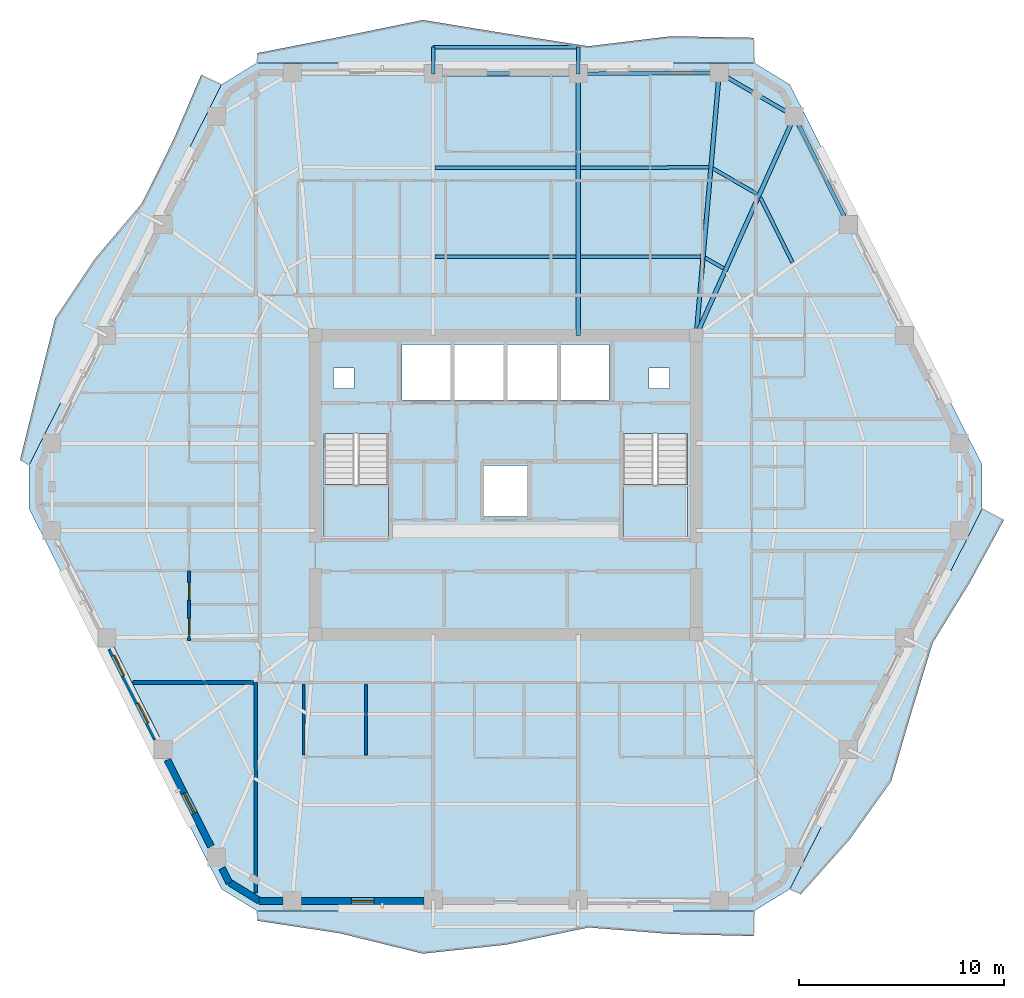
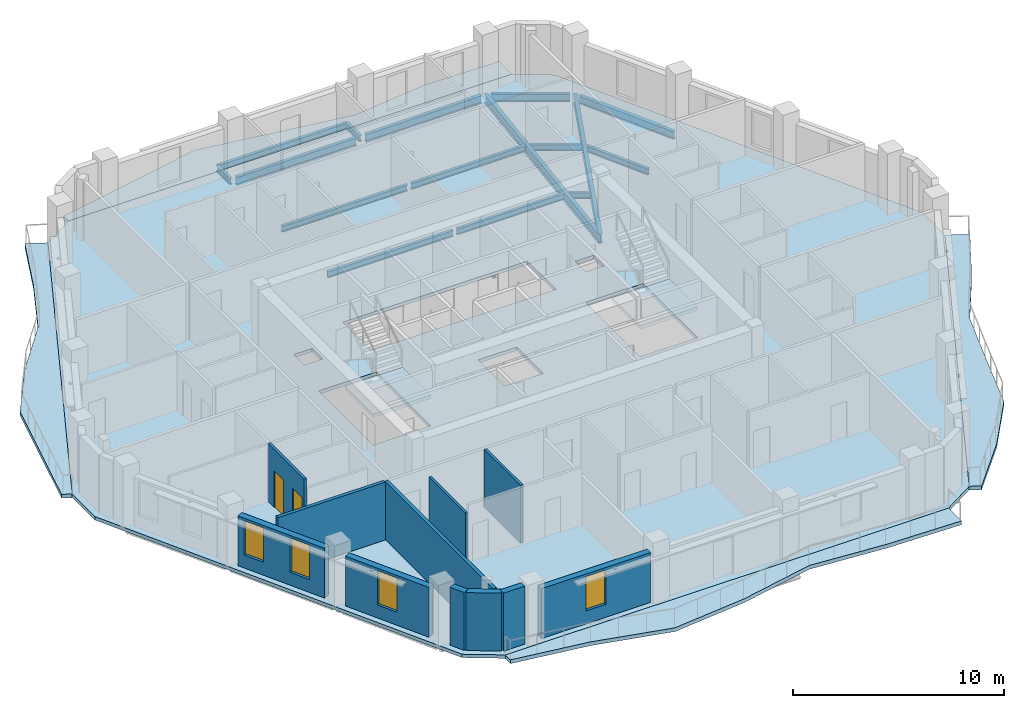
# One storey, part 3 of 12: 17 beams, 11 walls, 7 slabs, 4 windows, 2 doors, 6 openings, 2 elements without a shape of their own.
"""IFC4 building model written with IfcOpenShell, lengths in metres."""

from ifc_helpers import new_model, si_unit, direction, frame, frame_2d, origin, origin_2d, place, context, subcontext, project, spatial, polyline, rectangle, i_section, outline, extrude, material, layer, layer_set, material_profile, profile_set, type_object, element, fill, aggregate, save


model = new_model("IFC4")

# Units and contexts
model_context = context("Model", 3, precision=1e-05, world=origin(), true_north=direction((0.0, 1.0)))
body_context = subcontext(model_context, "Body", "Model", "MODEL_VIEW")
ifc_project = project(units=[si_unit("LENGTHUNIT", "METRE"), si_unit("AREAUNIT", "SQUARE_METRE"), si_unit("VOLUMEUNIT", "CUBIC_METRE"), si_unit("PLANEANGLEUNIT", "RADIAN"), si_unit("MASSUNIT", "GRAM", prefix="KILO")], contexts=[model_context])

# Site, building, storey
site_placement = place(None, origin())
site = spatial("IfcSite", under=ifc_project, at=site_placement, CompositionType="ELEMENT")
building_placement = place(site_placement, origin())
building = spatial("IfcBuilding", under=site, at=building_placement, Name="Cinnabar Lancet Tower", CompositionType="ELEMENT")
storey_placement = place(building_placement, frame((0.0, 0.0, 186.10009765625)))
storey = spatial("IfcBuildingStorey", under=building, at=storey_placement, Name="L49", CompositionType="ELEMENT", Elevation=186.10009765625)

# Beams
ifc_material_1 = material(Name="Structural steel S355", Category="steel")
ifc_material_profile_1 = material_profile(ifc_material_1, i_section(OverallWidth=0.17138671875, OverallDepth=0.35498046875, WebThickness=0.00732421875, FlangeThickness=0.011474609375, FilletRadius=0.01025390625, at=origin_2d()), Name="UKB 356x171x51")
ifc_profile_set_1 = profile_set([ifc_material_profile_1], Name="Structural steel S355")
beam_type_1 = type_object("IfcBeamType", Name="STR-BM-JST-356", PredefinedType="JOIST", material=ifc_profile_set_1)
beam_1_placement = place(storey_placement, frame((46.40087890625, 36.75, -0.378173828125), z_axis=(-0.444780091128, 0.895639810714, 0.0), x_axis=(-0.895639810714, -0.444780091128, 0.0)))
element("IfcBeam", 1, at=beam_1_placement, inside=storey, type_object=beam_type_1, Name="L49 Secondary Floor Joist 29", PredefinedType="JOIST", context=body_context, shape_type="SweptSolid", body=[
    extrude(i_section(OverallWidth=0.17138671875, OverallDepth=0.35498046875, WebThickness=0.00732421875, FlangeThickness=0.011474609375, FilletRadius=0.01025390625, at=origin_2d()), origin(), (0.0, 0.0, 1.0), 3.533935546875),
])
beam_2_placement = place(storey_placement, frame((44.677978515625, 40.089111328125, -0.378173828125), z_axis=(-0.865267839663, 0.501309849937, 0.0), x_axis=(-0.501309849937, -0.865267839663, 0.0)))
element("IfcBeam", 2, at=beam_2_placement, inside=storey, type_object=beam_type_1, Name="L49 Secondary Floor Joist 31", PredefinedType="JOIST", context=body_context, shape_type="SweptSolid", body=[
    extrude(i_section(OverallWidth=0.17138671875, OverallDepth=0.35498046875, WebThickness=0.00732421875, FlangeThickness=0.011474609375, FilletRadius=0.01025390625, at=origin_2d()), origin(), (0.0, 0.0, 1.0), 2.497314453125),
])
beam_3_placement = place(storey_placement, frame((43.047119140625, 36.45703125, -0.378173828125), z_axis=(-0.8651881055, 0.501447446998, 0.0), x_axis=(-0.501447446998, -0.8651881055, 0.0)))
element("IfcBeam", 3, at=beam_3_placement, inside=storey, type_object=beam_type_1, Name="L49 Secondary Floor Joist 32", PredefinedType="JOIST", context=body_context, shape_type="SweptSolid", body=[
    extrude(i_section(OverallWidth=0.17138671875, OverallDepth=0.35498046875, WebThickness=0.00732421875, FlangeThickness=0.011474609375, FilletRadius=0.01025390625, at=origin_2d()), origin(), (0.0, 0.0, 1.0), 1.05322265625),
])
beam_4_placement = place(storey_placement, frame((42.31201171875, 41.39794921875, -0.378173828125), z_axis=(-0.999986965561, -0.005105752523, 0.0), x_axis=(0.005105752523, -0.999986965561, 0.0)))
element("IfcBeam", 4, at=beam_4_placement, inside=storey, type_object=beam_type_1, Name="L49 Secondary Floor Joist 33", PredefinedType="JOIST", context=body_context, shape_type="SweptSolid", body=[
    extrude(i_section(OverallWidth=0.17138671875, OverallDepth=0.35498046875, WebThickness=0.00732421875, FlangeThickness=0.011474609375, FilletRadius=0.01025390625, at=origin_2d()), origin(), (0.0, 0.0, 1.0), 6.263916015625),
])
beam_5_placement = place(storey_placement, frame((41.930908203125, 37.04296875, -0.378173828125), z_axis=(-0.999996795667, -0.002531532393, 0.0), x_axis=(0.002531532393, -0.999996795667, 0.0)))
element("IfcBeam", 5, at=beam_5_placement, inside=storey, type_object=beam_type_1, Name="L49 Secondary Floor Joist 34", PredefinedType="JOIST", context=body_context, shape_type="SweptSolid", body=[
    extrude(i_section(OverallWidth=0.17138671875, OverallDepth=0.35498046875, WebThickness=0.00732421875, FlangeThickness=0.011474609375, FilletRadius=0.01025390625, at=origin_2d()), origin(), (0.0, 0.0, 1.0), 5.8828125),
])
for number, where, z_axis, x_axis, name in (
    (6, (35.837890625, 41.364990234375, -0.378173828125), (-1.0, 0.0, 0.0), (0.0, -1.0, 0.0), "L49 Secondary Floor Joist 35"),
    (7, (35.837890625, 37.027099609375, -0.378173828125), (-1.0, 0.0, 0.0), (0.0, -1.0, 0.0), "L49 Secondary Floor Joist 36"),
):
    element("IfcBeam", number, at=place(storey_placement, frame(where, z_axis=z_axis, x_axis=x_axis)), inside=storey, type_object=beam_type_1, Name=name, PredefinedType="JOIST", context=body_context, shape_type="SweptSolid", body=[
        extrude(i_section(OverallWidth=0.17138671875, OverallDepth=0.35498046875, WebThickness=0.00732421875, FlangeThickness=0.011474609375, FilletRadius=0.01025390625, at=origin_2d()), origin(), (0.0, 0.0, 1.0), 6.8759765625),
    ])
ifc_material_2 = material(Name="Structural steel S355", Category="steel")
ifc_material_profile_2 = material_profile(ifc_material_2, i_section(OverallWidth=0.1904296875, OverallDepth=0.45703125, WebThickness=0.009033203125, FlangeThickness=0.014404296875, FilletRadius=0.01025390625, at=origin_2d()), Name="UKB 457x191x74")
ifc_profile_set_2 = profile_set([ifc_material_profile_2], Name="Structural steel S355")
beam_type_2 = type_object("IfcBeamType", Name="STR-BM-SPN-457", PredefinedType="SPANDREL", material=ifc_profile_set_2)
beam_6_placement = place(storey_placement, frame((49.008056640625, 38.822998046875, -0.427978515625), z_axis=(-0.444932986899, 0.895563865489, 0.0), x_axis=(-0.895563865489, -0.444932986899, 0.0)))
element("IfcBeam", 8, at=beam_6_placement, inside=storey, type_object=beam_type_2, Name="L49 Perimeter Spandrel 11", PredefinedType="SPANDREL", context=body_context, shape_type="SweptSolid", body=[
    extrude(i_section(OverallWidth=0.1904296875, OverallDepth=0.45703125, WebThickness=0.009033203125, FlangeThickness=0.014404296875, FilletRadius=0.01025390625, at=origin_2d()), origin(), (0.0, 0.0, 1.0), 5.398681640625),
])
beam_7_placement = place(storey_placement, frame((46.279052734375, 44.007080078125, -0.427978515625), z_axis=(-0.865195717586, 0.501434313016, 0.0), x_axis=(-0.501434313016, -0.865195717586, 0.0)))
element("IfcBeam", 9, at=beam_7_placement, inside=storey, type_object=beam_type_2, Name="L49 Perimeter Spandrel 12", PredefinedType="SPANDREL", context=body_context, shape_type="SweptSolid", body=[
    extrude(i_section(OverallWidth=0.1904296875, OverallDepth=0.45703125, WebThickness=0.009033203125, FlangeThickness=0.014404296875, FilletRadius=0.01025390625, at=origin_2d()), origin(), (0.0, 0.0, 1.0), 3.7470703125),
])
beam_8_placement = place(storey_placement, frame((42.571044921875, 46.009033203125, -0.427978515625), z_axis=(-0.999970401924, -0.007693846685, 0.0), x_axis=(0.007693846685, -0.999970401924, 0.0)))
element("IfcBeam", 10, at=beam_8_placement, inside=storey, type_object=beam_type_2, Name="L49 Perimeter Spandrel 13", PredefinedType="SPANDREL", context=body_context, shape_type="SweptSolid", body=[
    extrude(i_section(OverallWidth=0.1904296875, OverallDepth=0.45703125, WebThickness=0.009033203125, FlangeThickness=0.014404296875, FilletRadius=0.01025390625, at=origin_2d()), origin(), (0.0, 0.0, 1.0), 6.378173828125),
])
beam_9_placement = place(storey_placement, frame((35.693115234375, 45.9580078125, -0.427978515625), z_axis=(-1.0, 0.0, 0.0), x_axis=(0.0, -1.0, 0.0)))
element("IfcBeam", 11, at=beam_9_placement, inside=storey, type_object=beam_type_2, Name="L49 Perimeter Spandrel 14", PredefinedType="SPANDREL", context=body_context, shape_type="SweptSolid", body=[
    extrude(i_section(OverallWidth=0.1904296875, OverallDepth=0.45703125, WebThickness=0.009033203125, FlangeThickness=0.014404296875, FilletRadius=0.01025390625, at=origin_2d()), origin(), (0.0, 0.0, 1.0), 6.586181640625),
])
ifc_material_3 = material(Name="Structural steel S355", Category="steel")
ifc_material_profile_3 = material_profile(ifc_material_3, i_section(OverallWidth=0.209228515625, OverallDepth=0.533203125, WebThickness=0.010009765625, FlangeThickness=0.015625, FilletRadius=0.0126953125, at=origin_2d()), Name="UKB 533x210x92")
ifc_profile_set_3 = profile_set([ifc_material_profile_3], Name="Structural steel S355")
beam_type_3 = type_object("IfcBeamType", Name="STR-BM-UKB533-92", PredefinedType="BEAM", material=ifc_profile_set_3)
beam_10_placement = place(storey_placement, frame((46.4951171875, 43.882080078125, -0.467041015625), z_axis=(-0.409527011626, -0.912297992297, 0.0), x_axis=(0.912297992297, -0.409527011626, 0.0)))
element("IfcBeam", 12, at=beam_10_placement, inside=storey, type_object=beam_type_3, Name="L49 Primary Floor Girder 12", PredefinedType="BEAM", context=body_context, shape_type="SweptSolid", body=[
    extrude(i_section(OverallWidth=0.209228515625, OverallDepth=0.533203125, WebThickness=0.010009765625, FlangeThickness=0.015625, FilletRadius=0.0126953125, at=origin_2d()), origin(), (0.0, 0.0, 1.0), 11.708984375),
])
beam_11_placement = place(storey_placement, frame((42.821044921875, 46.010986328125, -0.467041015625), z_axis=(-0.087176841412, -0.996192851973, 0.0), x_axis=(0.996192851973, -0.087176841412, 0.0)))
element("IfcBeam", 13, at=beam_11_placement, inside=storey, type_object=beam_type_3, Name="L49 Primary Floor Girder 13", PredefinedType="BEAM", context=body_context, shape_type="SweptSolid", body=[
    extrude(i_section(OverallWidth=0.209228515625, OverallDepth=0.533203125, WebThickness=0.010009765625, FlangeThickness=0.015625, FilletRadius=0.0126953125, at=origin_2d()), origin(), (0.0, 0.0, 1.0), 12.860107421875),
])
beam_12_placement = place(storey_placement, frame((35.943115234375, 45.9580078125, -0.467041015625), z_axis=(0.0, -1.0, 0.0), x_axis=(1.0, 0.0, 0.0)))
element("IfcBeam", 14, at=beam_12_placement, inside=storey, type_object=beam_type_3, Name="L49 Primary Floor Girder 14", PredefinedType="BEAM", context=body_context, shape_type="SweptSolid", body=[
    extrude(i_section(OverallWidth=0.209228515625, OverallDepth=0.533203125, WebThickness=0.010009765625, FlangeThickness=0.015625, FilletRadius=0.0126953125, at=origin_2d()), origin(), (0.0, 0.0, 1.0), 12.758056640625),
])
ifc_material_4 = material(Name="Structural steel S355", Category="steel")
ifc_material_profile_4 = material_profile(ifc_material_4, i_section(OverallWidth=0.17138671875, OverallDepth=0.35498046875, WebThickness=0.00732421875, FlangeThickness=0.011474609375, FilletRadius=0.01025390625, at=origin_2d()), Name="UKB 356x171x51")
ifc_profile_set_4 = profile_set([ifc_material_profile_4], Name="Structural steel S355")
beam_type_4 = type_object("IfcBeamType", Name="STR-BM-WAV-OUT", PredefinedType="BEAM", material=ifc_profile_set_4)
for number, where, z_axis, x_axis, name in (
    (15, (35.943115234375, 45.9580078125, -0.398193359375), (0.0, 1.0, 0.0), (-1.0, 0.0, 0.0), "L49 Face 4 Balcony Outlooker A"),
    (16, (28.85693359375, 45.9580078125, -0.398193359375), (0.0, 1.0, 0.0), (-1.0, 0.0, 0.0), "L49 Face 4 Balcony Outlooker B"),
):
    element("IfcBeam", number, at=place(storey_placement, frame(where, z_axis=z_axis, x_axis=x_axis)), inside=storey, type_object=beam_type_4, Name=name, PredefinedType="BEAM", context=body_context, shape_type="SweptSolid", body=[
        extrude(i_section(OverallWidth=0.17138671875, OverallDepth=0.35498046875, WebThickness=0.00732421875, FlangeThickness=0.011474609375, FilletRadius=0.01025390625, at=origin_2d()), origin(), (0.0, 0.0, 1.0), 1.300048828125),
    ])
ifc_material_5 = material(Name="Structural steel S355", Category="steel")
ifc_material_profile_5 = material_profile(ifc_material_5, i_section(OverallWidth=0.17138671875, OverallDepth=0.35498046875, WebThickness=0.00732421875, FlangeThickness=0.011474609375, FilletRadius=0.01025390625, at=origin_2d()), Name="UKB 356x171x51")
ifc_profile_set_5 = profile_set([ifc_material_profile_5], Name="Structural steel S355")
beam_type_5 = type_object("IfcBeamType", Name="STR-BM-WAV-TRIM", PredefinedType="SPANDREL", material=ifc_profile_set_5)
beam_13_placement = place(storey_placement, frame((35.943115234375, 47.258056640625, -0.398193359375), z_axis=(-1.0, 0.0, 0.0), x_axis=(0.0, -1.0, 0.0)))
element("IfcBeam", 17, at=beam_13_placement, inside=storey, type_object=beam_type_5, Name="L49 Face 4 Balcony Edge Trimmer", PredefinedType="SPANDREL", context=body_context, shape_type="SweptSolid", body=[
    extrude(i_section(OverallWidth=0.17138671875, OverallDepth=0.35498046875, WebThickness=0.00732421875, FlangeThickness=0.011474609375, FilletRadius=0.01025390625, at=origin_2d()), origin(), (0.0, 0.0, 1.0), 7.086181640625),
])

# Stair, slab
ifc_material_6 = material(Name="Concrete C40/50", Category="concrete")
stair_type = type_object("IfcStairType", Name="ST-CORE", PredefinedType="HALF_TURN_STAIR", material=ifc_material_6)
stair_1_placement = place(storey_placement, origin())
stair_1 = element("IfcStair", 18, at=stair_1_placement, inside=storey, type_object=stair_type, Name="L49 ST-1", PredefinedType="HALF_TURN_STAIR")
ifc_material_7 = material(Name="Concrete C40/50", Category="concrete")
ifc_layer_1 = layer(ifc_material_7, 0.199951171875)
ifc_layer_set_1 = layer_set([ifc_layer_1], Name="Concrete C40/50")
slab_type_1 = type_object("IfcSlabType", Name="LANDING-CORE", PredefinedType="LANDING", material=ifc_layer_set_1)
slab_1_placement = place(storey_placement, frame((0.0, 0.0, 1.574951171875)))
slab_1 = element("IfcSlab", 19, at=slab_1_placement, type_object=slab_type_1, Name="ST-1 landing 1", PredefinedType="LANDING", context=body_context, shape_type="SweptSolid", body=[
    extrude(outline(polyline([(23.52490234375, 25.925048828125), (23.52490234375, 23.25), (26.675048828125, 23.25), (26.675048828125, 25.925048828125), (23.52490234375, 25.925048828125)])), origin(), (0.0, 0.0, 1.0), 0.199951171875),
])
aggregate(stair_1, [slab_1])

stair_2_placement = place(storey_placement, origin())
stair_2 = element("IfcStair", 20, at=stair_2_placement, inside=storey, type_object=stair_type, Name="L49 ST-2", PredefinedType="HALF_TURN_STAIR")
slab_2_placement = place(storey_placement, frame((0.0, 0.0, 1.574951171875)))
slab_2 = element("IfcSlab", 21, at=slab_2_placement, type_object=slab_type_1, Name="ST-2 landing 1", PredefinedType="LANDING", context=body_context, shape_type="SweptSolid", body=[
    extrude(outline(polyline([(38.125, 25.925048828125), (38.125, 23.25), (41.27490234375, 23.25), (41.27490234375, 25.925048828125), (38.125, 25.925048828125)])), origin(), (0.0, 0.0, 1.0), 0.199951171875),
])
aggregate(stair_2, [slab_2])

# Slabs
ifc_material_8 = material(Name="Concrete C40/50", Category="concrete")
ifc_layer_2 = layer(ifc_material_8, 0.199951171875)
ifc_layer_set_2 = layer_set([ifc_layer_2], Name="Concrete C40/50")
slab_type_2 = type_object("IfcSlabType", Name="STR-SLB-FLR-200", PredefinedType="FLOOR", material=ifc_layer_set_2)
slab_3_placement = place(storey_placement, frame((0.0, 0.0, -0.2001953125)))
element("IfcSlab", 22, at=slab_3_placement, inside=storey, type_object=slab_type_2, Name="L49 Structural Floor Slab", PredefinedType="FLOOR", context=body_context, shape_type="SweptSolid", body=[
    extrude(outline(polyline([(18.530029296875, 6.1708984375), (20.27197265625, 5.10009765625), (44.528076171875, 5.10009765625), (46.27001953125, 6.1708984375), (55.657958984375, 24.72900390625), (55.657958984375, 26.87109375), (46.27001953125, 45.428955078125), (44.528076171875, 46.5), (20.27197265625, 46.5), (18.530029296875, 45.428955078125), (9.14208984375, 26.87109375), (9.14208984375, 24.72900390625), (18.530029296875, 6.1708984375)]), holes=[polyline([(23.52490234375, 23.25), (26.675048828125, 23.25), (26.675048828125, 28.3994140625), (23.52490234375, 28.3994140625), (23.52490234375, 23.25)]), polyline([(38.125, 23.25), (41.27490234375, 23.25), (41.27490234375, 28.3994140625), (38.125, 28.3994140625), (38.125, 23.25)]), polyline([(27.35009765625, 30.050048828125), (37.449951171875, 30.050048828125), (37.449951171875, 32.75), (27.35009765625, 32.75), (27.35009765625, 30.050048828125)]), polyline([(31.35009765625, 24.35009765625), (33.449951171875, 24.35009765625), (33.449951171875, 26.85009765625), (31.35009765625, 26.85009765625), (31.35009765625, 24.35009765625)]), polyline([(24.0, 30.60009765625), (25.0, 30.60009765625), (25.0, 31.60009765625), (24.0, 31.60009765625), (24.0, 30.60009765625)]), polyline([(39.39990234375, 30.60009765625), (40.39990234375, 30.60009765625), (40.39990234375, 31.60009765625), (39.39990234375, 31.60009765625), (39.39990234375, 30.60009765625)])]), origin(), (0.0, 0.0, 1.0), 0.2001953125),
])
ifc_material_9 = material(Name="Concrete C45/55", Category="concrete")
ifc_layer_3 = layer(ifc_material_9, 0.219970703125)
ifc_layer_set_3 = layer_set([ifc_layer_3], Name="Concrete C45/55")
slab_type_3 = type_object("IfcSlabType", Name="STR-SLB-WAV-220", PredefinedType="FLOOR", material=ifc_layer_set_3)
slab_4_placement = place(storey_placement, frame((0.0, 0.0, -0.22021484375)))
element("IfcSlab", 23, at=slab_4_placement, inside=storey, type_object=slab_type_3, Name="L49 Face 1 Undulating Wave Balcony Slab", PredefinedType="FLOOR", context=body_context, shape_type="SweptSolid", body=[
    extrude(outline(polyline([(20.27197265625, 5.10009765625), (20.27197265625, 4.6240234375), (24.31494140625, 4.010009765625), (28.35693359375, 3.01708984375), (32.39990234375, 3.451904296875), (36.443115234375, 4.294921875), (40.485107421875, 3.97412109375), (44.528076171875, 3.876953125), (44.528076171875, 5.10009765625), (20.27197265625, 5.10009765625)])), origin(), (0.0, 0.0, 1.0), 0.22021484375),
])
slab_5_placement = place(storey_placement, frame((0.0, 0.0, -0.22021484375)))
element("IfcSlab", 24, at=slab_5_placement, inside=storey, type_object=slab_type_3, Name="L49 Face 2 Undulating Wave Balcony Slab", PredefinedType="FLOOR", context=body_context, shape_type="SweptSolid", body=[
    extrude(outline(polyline([(46.27001953125, 6.1708984375), (46.799072265625, 5.903076171875), (49.178955078125, 8.583984375), (51.217041015625, 11.43701171875), (52.2099609375, 14.820068359375), (53.240966796875, 18.181884765625), (55.05810546875, 21.14794921875), (56.721923828125, 24.19091796875), (55.657958984375, 24.72900390625), (46.27001953125, 6.1708984375)])), origin(), (0.0, 0.0, 1.0), 0.22021484375),
])
slab_6_placement = place(storey_placement, frame((0.0, 0.0, -0.22021484375)))
element("IfcSlab", 25, at=slab_6_placement, inside=storey, type_object=slab_type_3, Name="L49 Face 4 Undulating Wave Balcony Slab", PredefinedType="FLOOR", context=body_context, shape_type="SweptSolid", body=[
    extrude(outline(polyline([(44.528076171875, 46.5), (44.528076171875, 47.717041015625), (40.485107421875, 47.794921875), (36.443115234375, 47.30908203125), (32.39990234375, 47.929931640625), (28.35693359375, 48.5869140625), (24.31494140625, 47.759033203125), (20.27197265625, 46.969970703125), (20.27197265625, 46.5), (44.528076171875, 46.5)])), origin(), (0.0, 0.0, 1.0), 0.22021484375),
])
slab_7_placement = place(storey_placement, frame((0.0, 0.0, -0.22021484375)))
element("IfcSlab", 26, at=slab_7_placement, inside=storey, type_object=slab_type_3, Name="L49 Face 5 Undulating Wave Balcony Slab", PredefinedType="FLOOR", context=body_context, shape_type="SweptSolid", body=[
    extrude(outline(polyline([(18.530029296875, 45.428955078125), (17.549072265625, 45.925048828125), (16.180908203125, 42.73291015625), (14.637939453125, 39.62890625), (12.3349609375, 36.908935546875), (10.404052734375, 34.001953125), (9.54296875, 30.552978515625), (8.695068359375, 27.096923828125), (9.14208984375, 26.87109375), (18.530029296875, 45.428955078125)])), origin(), (0.0, 0.0, 1.0), 0.22021484375),
])

# Walls
ifc_material_10 = material(Name="Fire-rated twin-frame acoustic drywall", Category="gypsum")
ifc_layer_4 = layer(ifc_material_10, 0.179931640625)
ifc_layer_set_4 = layer_set([ifc_layer_4], Name="Fire-rated twin-frame acoustic drywall")
wall_type_1 = type_object("IfcWallType", Name="ARC-WL-PARTY-180", PredefinedType="PARTITIONING", material=ifc_layer_set_4)
wall_1_placement = place(storey_placement, frame((20.199951171875, 5.968017578125, 0.0), z_axis=(0.0, 0.0, 1.0), x_axis=(0.0, 1.0, 0.0)))
element("IfcWall", 27, at=wall_1_placement, inside=storey, type_object=wall_type_1, Name="PW-L49-SPTY-202", PredefinedType="PARTITIONING", context=body_context, shape_type="SweptSolid", body=[
    extrude(rectangle(XDim=10.281982421875, YDim=0.179931640625, at=frame_2d((5.14111328125, 0.0))), origin(), (0.0, 0.0, 1.0), 3.349853515625),
])
wall_2_placement = place(storey_placement, frame((14.2109375, 16.25, 0.0), z_axis=(0.0, 0.0, 1.0), x_axis=(1.0, 0.0, 0.0)))
element("IfcWall", 28, at=wall_2_placement, inside=storey, type_object=wall_type_1, Name="PW-L49-WSB", PredefinedType="PARTITIONING", context=body_context, shape_type="SweptSolid", body=[
    extrude(rectangle(XDim=5.89404296875, YDim=0.179931640625, at=frame_2d((2.947021484375, 0.0))), origin(), (0.0, 0.0, 1.0), 3.349853515625),
])
ifc_material_11 = material(Name="Gypsum plasterboard stud partition", Category="gypsum")
ifc_layer_5 = layer(ifc_material_11, 0.125)
ifc_layer_set_5 = layer_set([ifc_layer_5], Name="Gypsum plasterboard stud partition")
wall_type_2 = type_object("IfcWallType", Name="ARC-WL-UNIT-125", PredefinedType="PARTITIONING", material=ifc_layer_set_5)
wall_3_placement = place(storey_placement, frame((22.550048828125, 12.72412109375, 0.0), z_axis=(0.0, 0.0, 1.0), x_axis=(0.0, 1.0, 0.0)))
element("IfcWall", 29, at=wall_3_placement, inside=storey, type_object=wall_type_2, Name="UW-L49-S01-FOYE", PredefinedType="PARTITIONING", context=body_context, shape_type="SweptSolid", body=[
    extrude(rectangle(XDim=3.44091796875, YDim=0.125, at=frame_2d((1.720458984375, 0.0))), origin(), (0.0, 0.0, 1.0), 2.806884765625),
])
ifc_material_12 = material(Name="Moisture-resistant cement-board plumbing wall", Category="masonry")
ifc_layer_6 = layer(ifc_material_12, 0.139892578125)
ifc_layer_set_6 = layer_set([ifc_layer_6], Name="Moisture-resistant cement-board plumbing wall")
wall_type_3 = type_object("IfcWallType", Name="ARC-WL-WET-140", PredefinedType="PLUMBINGWALL", material=ifc_layer_set_6)
wall_4_placement = place(storey_placement, frame((25.576904296875, 12.72412109375, 0.0), z_axis=(0.0, 0.0, 1.0), x_axis=(0.0, 1.0, 0.0)))
element("IfcWall", 30, at=wall_4_placement, inside=storey, type_object=wall_type_3, Name="UW-L49-S01-KDV", PredefinedType="PLUMBINGWALL", context=body_context, shape_type="SweptSolid", body=[
    extrude(rectangle(XDim=3.44091796875, YDim=0.139892578125, at=frame_2d((1.720458984375, 0.0))), origin(), (0.0, 0.0, 1.0), 3.349853515625),
])

# Wall, openings, doors
wall_5_placement = place(storey_placement, frame((16.949951171875, 18.300048828125, 0.0), z_axis=(0.0, 0.0, 1.0), x_axis=(0.0, 1.0, 0.0)))
wall_5 = element("IfcWall", 31, at=wall_5_placement, inside=storey, type_object=wall_type_3, Name="UW-L49-W01-SPL", PredefinedType="PLUMBINGWALL", context=body_context, shape_type="SweptSolid", body=[
    extrude(rectangle(XDim=3.39990234375, YDim=0.139892578125, at=frame_2d((1.699951171875, 0.0))), origin(), (0.0, 0.0, 1.0), 3.349853515625),
])
opening_1_placement = place(wall_5_placement, frame((0.199951171875, 0.0, 0.0)))
opening_1 = element("IfcOpeningElement", 32, at=opening_1_placement, cuts=wall_5, Name="Opening RD-02", PredefinedType="OPENING", context=body_context, shape_type="SweptSolid", body=[
    extrude(rectangle(XDim=0.8798828125, YDim=2.14990234375, at=frame_2d((0.43994140625, 1.074951171875))), frame((0.0, 0.079833984375, 0.0), z_axis=(0.0, -1.0, 0.0), x_axis=(1.0, 0.0, 0.0)), (0.0, 0.0, 1.0), 0.159912109375),
])
opening_2_placement = place(wall_5_placement, frame((1.968017578125, 0.0, 0.0)))
opening_2 = element("IfcOpeningElement", 33, at=opening_2_placement, cuts=wall_5, Name="Opening BD-01", PredefinedType="OPENING", context=body_context, shape_type="SweptSolid", body=[
    extrude(rectangle(XDim=0.860107421875, YDim=2.10009765625, at=frame_2d((0.43017578125, 1.050048828125))), frame((0.0, 0.079833984375, 0.0), z_axis=(0.0, -1.0, 0.0), x_axis=(1.0, 0.0, 0.0)), (0.0, 0.0, 1.0), 0.159912109375),
])
ifc_material_13 = material(Name="Moisture-resistant timber bathroom door", Category="wood")
door_type_1 = type_object("IfcDoorType", Name="ARC-DR-BATH", OperationType="NOTDEFINED", PredefinedType="DOOR", material=ifc_material_13)
door_1_placement = place(opening_2_placement, origin())
door_1 = element("IfcDoor", 34, at=door_1_placement, inside=storey, type_object=door_type_1, Name="DR-L49-W01-BTH", OperationType="SINGLE_SWING_LEFT", OverallHeight=2.10009765625, OverallWidth=0.860107421875, PredefinedType="DOOR", context=body_context, shape_type="SweptSolid", body=[
    extrude(rectangle(XDim=0.860107421875, YDim=2.10009765625, at=frame_2d((0.43017578125, 1.050048828125))), frame((0.0, 0.02490234375, 0.0), z_axis=(0.0, -1.0, 0.0), x_axis=(1.0, 0.0, 0.0)), (0.0, 0.0, 1.0), 0.050048828125),
])
fill(opening_2, door_1)
ifc_material_14 = material(Name="Engineered timber study door", Category="wood")
door_type_2 = type_object("IfcDoorType", Name="ARC-DR-STUDY", OperationType="NOTDEFINED", PredefinedType="DOOR", material=ifc_material_14)
door_2_placement = place(opening_1_placement, origin())
door_2 = element("IfcDoor", 35, at=door_2_placement, inside=storey, type_object=door_type_2, Name="DR-L49-W01-KIT", OperationType="SINGLE_SWING_RIGHT", OverallHeight=2.14990234375, OverallWidth=0.8798828125, PredefinedType="DOOR", context=body_context, shape_type="SweptSolid", body=[
    extrude(rectangle(XDim=0.8798828125, YDim=2.14990234375, at=frame_2d((0.43994140625, 1.074951171875))), frame((0.0, 0.02490234375, 0.0), z_axis=(0.0, -1.0, 0.0), x_axis=(1.0, 0.0, 0.0)), (0.0, 0.0, 1.0), 0.050048828125),
])
fill(opening_1, door_2)

# Walls
ifc_material_15 = material(Name="Cinnabar red clay brick", Category="masonry")
ifc_layer_7 = layer(ifc_material_15, 0.340087890625)
ifc_layer_set_7 = layer_set([ifc_layer_7], Name="Cinnabar red clay brick")
wall_type_4 = type_object("IfcWallType", Name="ENV-WL-BRK-RED-340", PredefinedType="STANDARD", material=ifc_layer_set_7)
wall_6_placement = place(storey_placement, frame((18.93798828125, 6.48388671875, 0.0), z_axis=(0.0, 0.0, 1.0), x_axis=(0.851778214877, -0.523902541185, 0.0)))
element("IfcWall", 36, at=wall_6_placement, inside=storey, type_object=wall_type_4, Name="L49 Chamfered Corner Brick Pier 1.1", PredefinedType="STANDARD", context=body_context, shape_type="SweptSolid", body=[
    extrude(rectangle(XDim=1.677734375, YDim=0.340087890625, at=frame_2d((0.8388671875, 0.0))), origin(), (0.0, 0.0, 1.0), 3.349853515625),
])
wall_7_placement = place(storey_placement, frame((20.362060546875, 5.580078125, 0.0), z_axis=(0.0, 0.0, 1.0), x_axis=(1.0, 0.0, 0.0)))
element("IfcWall", 37, at=wall_7_placement, inside=storey, type_object=wall_type_4, Name="L49 Face 1 Masonry Bay Wall 1", PredefinedType="STANDARD", context=body_context, shape_type="SweptSolid", body=[
    extrude(rectangle(XDim=1.162841796875, YDim=0.340087890625, at=frame_2d((0.58154296875, 0.0))), origin(), (0.0, 0.0, 1.0), 3.349853515625),
])

# Wall, opening, window
wall_8_placement = place(storey_placement, frame((22.43310546875, 5.580078125, 0.0), z_axis=(0.0, 0.0, 1.0), x_axis=(1.0, 0.0, 0.0)))
wall_8 = element("IfcWall", 38, at=wall_8_placement, inside=storey, type_object=wall_type_4, Name="L49 Face 1 Masonry Bay Wall 2", PredefinedType="STANDARD", context=body_context, shape_type="SweptSolid", body=[
    extrude(rectangle(XDim=5.969970703125, YDim=0.340087890625, at=frame_2d((2.98486328125, 0.0))), origin(), (0.0, 0.0, 1.0), 2.8828125),
])
opening_3_placement = place(wall_8_placement, frame((2.43505859375, 0.0, 0.75)))
opening_3 = element("IfcOpeningElement", 39, at=opening_3_placement, cuts=wall_8, Name="Opening WN-04", PredefinedType="OPENING", context=body_context, shape_type="SweptSolid", body=[
    extrude(rectangle(XDim=1.10009765625, YDim=1.98291015625, at=frame_2d((0.550048828125, 0.991455078125))), frame((0.0, 0.179931640625, 0.0), z_axis=(0.0, -1.0, 0.0), x_axis=(1.0, 0.0, 0.0)), (0.0, 0.0, 1.0), 0.360107421875),
])
ifc_material_16 = material(Name="Thermally broken bronze-anodized aluminium tall lancet window", Category="aluminium")
window_type = type_object("IfcWindowType", Name="ENV-WN-LANCET-1100", PartitioningType="SINGLE_PANEL", PredefinedType="WINDOW", material=ifc_material_16)
window_1_placement = place(opening_3_placement, origin())
window_1 = element("IfcWindow", 40, at=window_1_placement, inside=storey, type_object=window_type, Name="L49 Face 1 Gothic Lancet Window 2", OverallHeight=1.98291015625, OverallWidth=1.10009765625, PartitioningType="SINGLE_PANEL", PredefinedType="WINDOW", context=body_context, shape_type="SweptSolid", body=[
    extrude(rectangle(XDim=1.10009765625, YDim=1.98291015625, at=frame_2d((0.550048828125, 0.991455078125))), frame((0.0, 0.030029296875, 0.0), z_axis=(0.0, -1.0, 0.0), x_axis=(1.0, 0.0, 0.0)), (0.0, 0.0, 1.0), 0.06005859375),
])
fill(opening_3, window_1)

# Wall, openings, windows
wall_9_placement = place(storey_placement, frame((13.135009765625, 17.89794921875, 0.0), z_axis=(0.0, 0.0, 1.0), x_axis=(0.451544279509, -0.892248711763, 0.0)))
wall_9 = element("IfcWall", 41, at=wall_9_placement, inside=storey, type_object=wall_type_4, Name="L49 Face 6 Masonry Bay Wall 3", PredefinedType="STANDARD", context=body_context, shape_type="SweptSolid", body=[
    extrude(rectangle(XDim=4.909912109375, YDim=0.340087890625, at=frame_2d((2.455078125, 0.0))), origin(), (0.0, 0.0, 1.0), 2.8828125),
])
opening_4_placement = place(wall_9_placement, frame((0.35302734375, 0.0, 0.75)))
opening_4 = element("IfcOpeningElement", 42, at=opening_4_placement, cuts=wall_9, Name="Opening WN-04", PredefinedType="OPENING", context=body_context, shape_type="SweptSolid", body=[
    extrude(rectangle(XDim=1.10009765625, YDim=1.98291015625, at=frame_2d((0.550048828125, 0.991455078125))), frame((0.0, 0.179931640625, 0.0), z_axis=(0.0, -1.0, 0.0), x_axis=(1.0, 0.0, 0.0)), (0.0, 0.0, 1.0), 0.360107421875),
])
opening_5_placement = place(wall_9_placement, frame((2.958984375, 0.0, 0.75)))
opening_5 = element("IfcOpeningElement", 43, at=opening_5_placement, cuts=wall_9, Name="Opening WN-04", PredefinedType="OPENING", context=body_context, shape_type="SweptSolid", body=[
    extrude(rectangle(XDim=1.10009765625, YDim=1.98291015625, at=frame_2d((0.550048828125, 0.991455078125))), frame((0.0, 0.179931640625, 0.0), z_axis=(0.0, -1.0, 0.0), x_axis=(1.0, 0.0, 0.0)), (0.0, 0.0, 1.0), 0.360107421875),
])
window_2_placement = place(opening_4_placement, origin())
window_2 = element("IfcWindow", 44, at=window_2_placement, inside=storey, type_object=window_type, Name="L49 Face 6 Gothic Lancet Window 3", OverallHeight=1.98291015625, OverallWidth=1.10009765625, PartitioningType="SINGLE_PANEL", PredefinedType="WINDOW", context=body_context, shape_type="SweptSolid", body=[
    extrude(rectangle(XDim=1.10009765625, YDim=1.98291015625, at=frame_2d((0.550048828125, 0.991455078125))), frame((0.0, 0.030029296875, 0.0), z_axis=(0.0, -1.0, 0.0), x_axis=(1.0, 0.0, 0.0)), (0.0, 0.0, 1.0), 0.06005859375),
])
fill(opening_4, window_2)
window_3_placement = place(opening_5_placement, origin())
window_3 = element("IfcWindow", 45, at=window_3_placement, inside=storey, type_object=window_type, Name="L49 Split-Bay Gothic Lancet Window 159", OverallHeight=1.98291015625, OverallWidth=1.10009765625, PartitioningType="SINGLE_PANEL", PredefinedType="WINDOW", context=body_context, shape_type="SweptSolid", body=[
    extrude(rectangle(XDim=1.10009765625, YDim=1.98291015625, at=frame_2d((0.550048828125, 0.991455078125))), frame((0.0, 0.030029296875, 0.0), z_axis=(0.0, -1.0, 0.0), x_axis=(1.0, 0.0, 0.0)), (0.0, 0.0, 1.0), 0.06005859375),
])
fill(opening_5, window_3)

# Wall, opening, window
wall_10_placement = place(storey_placement, frame((15.881103515625, 12.469970703125, 0.0), z_axis=(0.0, 0.0, 1.0), x_axis=(0.451522864045, -0.892259549259, 0.0)))
wall_10 = element("IfcWall", 46, at=wall_10_placement, inside=storey, type_object=wall_type_4, Name="L49 Face 6 Masonry Bay Wall 4", PredefinedType="STANDARD", context=body_context, shape_type="SweptSolid", body=[
    extrude(rectangle(XDim=4.730712890625, YDim=0.340087890625, at=frame_2d((2.365234375, 0.0))), origin(), (0.0, 0.0, 1.0), 2.8828125),
])
opening_6_placement = place(wall_10_placement, frame((1.81494140625, 0.0, 0.75)))
opening_6 = element("IfcOpeningElement", 47, at=opening_6_placement, cuts=wall_10, Name="Opening WN-04", PredefinedType="OPENING", context=body_context, shape_type="SweptSolid", body=[
    extrude(rectangle(XDim=1.10009765625, YDim=1.98291015625, at=frame_2d((0.550048828125, 0.991455078125))), frame((0.0, 0.179931640625, 0.0), z_axis=(0.0, -1.0, 0.0), x_axis=(1.0, 0.0, 0.0)), (0.0, 0.0, 1.0), 0.360107421875),
])
window_4_placement = place(opening_6_placement, origin())
window_4 = element("IfcWindow", 48, at=window_4_placement, inside=storey, type_object=window_type, Name="L49 Face 6 Gothic Lancet Window 4", OverallHeight=1.98291015625, OverallWidth=1.10009765625, PartitioningType="SINGLE_PANEL", PredefinedType="WINDOW", context=body_context, shape_type="SweptSolid", body=[
    extrude(rectangle(XDim=1.10009765625, YDim=1.98291015625, at=frame_2d((0.550048828125, 0.991455078125))), frame((0.0, 0.030029296875, 0.0), z_axis=(0.0, -1.0, 0.0), x_axis=(1.0, 0.0, 0.0)), (0.0, 0.0, 1.0), 0.06005859375),
])
fill(opening_6, window_4)

# Wall
wall_11_placement = place(storey_placement, frame((18.553955078125, 7.18701171875, 0.0), z_axis=(0.0, 0.0, 1.0), x_axis=(0.451691568309, -0.892174157392, 0.0)))
element("IfcWall", 49, at=wall_11_placement, inside=storey, type_object=wall_type_4, Name="L49 Face 6 Masonry Bay Wall 5", PredefinedType="STANDARD", context=body_context, shape_type="SweptSolid", body=[
    extrude(rectangle(XDim=0.805908203125, YDim=0.340087890625, at=frame_2d((0.40283203125, 0.0))), origin(), (0.0, 0.0, 1.0), 3.349853515625),
])

save(model, "model.ifc")
